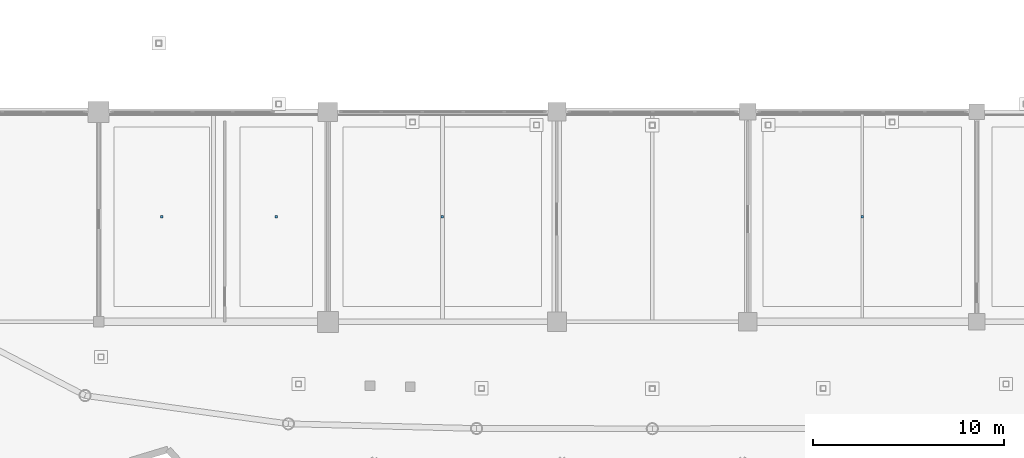
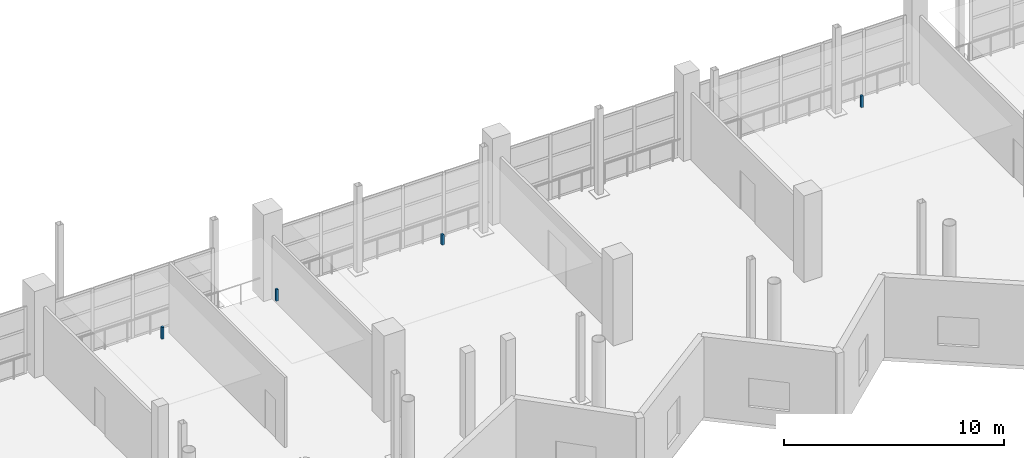
# One storey, part 107 of 143: 4 discrete accessories.
"""IFC4 building model written with IfcOpenShell, lengths in metres."""

from ifc_helpers import new_model, si_unit, direction, frame, origin, origin_2d, place, context, subcontext, project, spatial, rectangle, extrude, material, layer, layer_set, type_object, element, save


model = new_model("IFC4")

# Units and contexts
model_context = context("Model", 3, precision=1e-05, world=origin(), true_north=direction((0.0, 1.0)))
body_context = subcontext(model_context, "Body", "Model", "MODEL_VIEW")
ifc_project = project(units=[si_unit("LENGTHUNIT", "METRE"), si_unit("AREAUNIT", "SQUARE_METRE"), si_unit("VOLUMEUNIT", "CUBIC_METRE"), si_unit("PLANEANGLEUNIT", "RADIAN"), si_unit("MASSUNIT", "GRAM", prefix="KILO")], contexts=[model_context])

# Site, building, storey
site_placement = place(None, origin())
site = spatial("IfcSite", under=ifc_project, at=site_placement, CompositionType="ELEMENT")
building_placement = place(site_placement, origin())
building = spatial("IfcBuilding", under=site, at=building_placement, Name="Luwafu Chhajja Arena", CompositionType="ELEMENT")
storey_placement = place(building_placement, frame((0.0, 0.0, 5.39990234375)))
storey = spatial("IfcBuildingStorey", under=building, at=storey_placement, Name="L01", CompositionType="ELEMENT", Elevation=5.39990234375)

# Discrete accessories
ifc_material = material(Name="Stainless steel bracket", Category="steel")
ifc_layer = layer(ifc_material, 0.179931640625, Name="Stainless steel bracket")
ifc_layer_set = layer_set([ifc_layer], Name="Stainless steel bracket")
discrete_accessory_type = type_object("IfcDiscreteAccessoryType", Name="Stainless Steel Facade Support Bracket", PredefinedType="BRACKET", material=ifc_layer_set)
for number, where, z_axis, x_axis, name in (
    (1, (73.300048828125, 16.5, 3.86279296875), (0.0, 0.0, 1.0), (1.0, 0.0, 0.0), "L01 Ceiling Suspension Hanger 029"),
    (2, (79.300048828125, 16.5, 3.86279296875), (0.0, 0.0, 1.0), (1.0, 0.0, 0.0), "L01 Ceiling Suspension Hanger 030"),
):
    element("IfcDiscreteAccessory", number, at=place(storey_placement, frame(where, z_axis=z_axis, x_axis=x_axis)), inside=storey, type_object=discrete_accessory_type, Name=name, PredefinedType="BRACKET", context=body_context, shape_type="SweptSolid", body=[
        extrude(rectangle(XDim=0.1201171875, YDim=0.1201171875, at=origin_2d()), origin(), (0.0, 0.0, 1.0), 0.647216796875),
    ])
discrete_accessory_1_placement = place(storey_placement, frame((88.0, 16.5, 3.93603515625), z_axis=(0.0, 0.0, 1.0), x_axis=(1.0, 0.0, 0.0)))
element("IfcDiscreteAccessory", 3, at=discrete_accessory_1_placement, inside=storey, type_object=discrete_accessory_type, Name="L01 Ceiling Suspension Hanger 031", PredefinedType="BRACKET", context=body_context, shape_type="SweptSolid", body=[
    extrude(rectangle(XDim=0.1201171875, YDim=0.1201171875, at=origin_2d()), origin(), (0.0, 0.0, 1.0), 0.573974609375),
])
discrete_accessory_2_placement = place(storey_placement, frame((110.0, 16.5, 3.859375), z_axis=(0.0, 0.0, 1.0), x_axis=(1.0, 0.0, 0.0)))
element("IfcDiscreteAccessory", 4, at=discrete_accessory_2_placement, inside=storey, type_object=discrete_accessory_type, Name="L01 Ceiling Suspension Hanger 032", PredefinedType="BRACKET", context=body_context, shape_type="SweptSolid", body=[
    extrude(rectangle(XDim=0.1201171875, YDim=0.1201171875, at=origin_2d()), origin(), (0.0, 0.0, 1.0), 0.650634765625),
])

save(model, "model.ifc")
